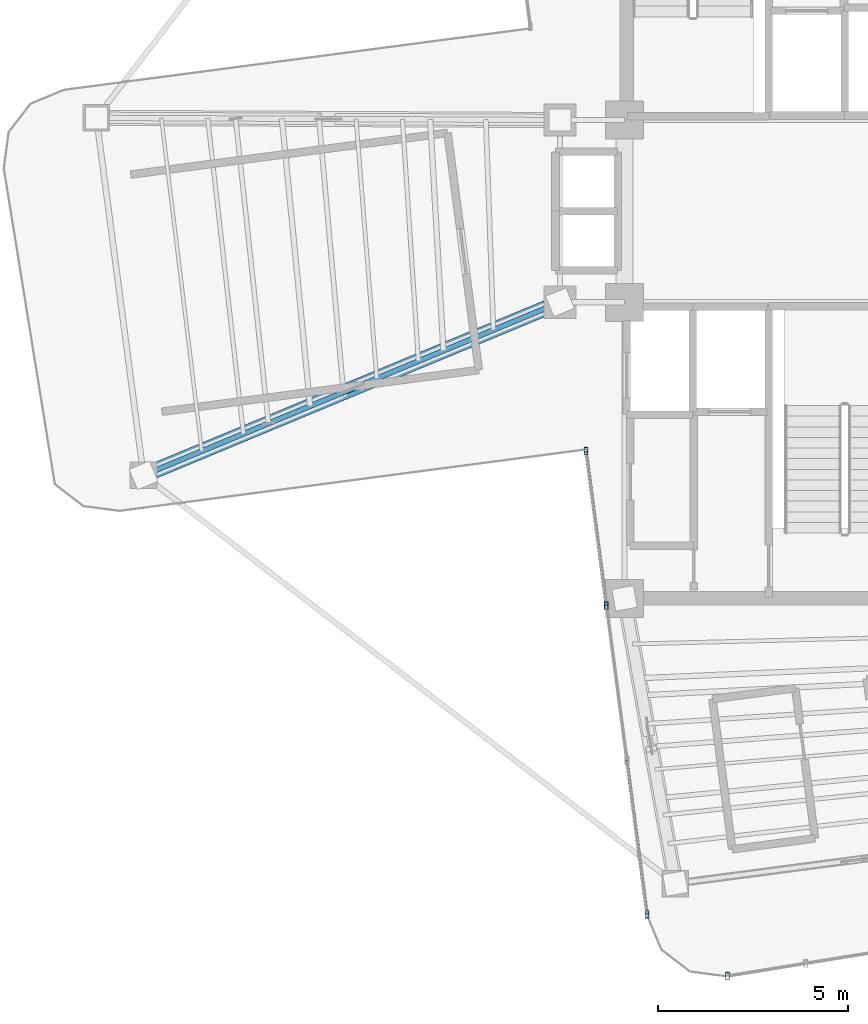
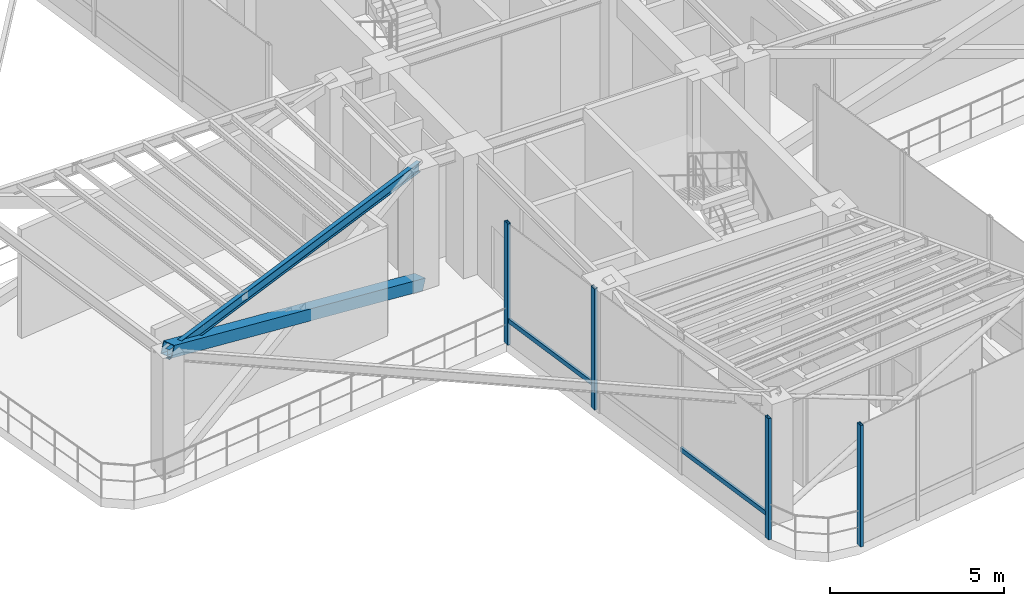
# One storey, part 2 of 17: 7 members, 1 beam, 2 elements without a shape of their own.
"""IFC4 building model written with IfcOpenShell, lengths in metres."""

from ifc_helpers import new_model, si_unit, direction, frame, origin, origin_2d, place, context, subcontext, project, spatial, hollow_rectangle, i_section, extrude, source, transform, mapped, material, material_profile, profile_set, type_object, element, aggregate, save


model = new_model("IFC4")

# Units and contexts
model_context = context("Model", 3, precision=1e-05, world=origin(), true_north=direction((0.0, 1.0)))
body_context = subcontext(model_context, "Body", "Model", "MODEL_VIEW")
ifc_project = project(units=[si_unit("LENGTHUNIT", "METRE"), si_unit("AREAUNIT", "SQUARE_METRE"), si_unit("VOLUMEUNIT", "CUBIC_METRE"), si_unit("PLANEANGLEUNIT", "RADIAN"), si_unit("MASSUNIT", "GRAM", prefix="KILO")], contexts=[model_context])

# Site, building, storey
site_placement = place(None, origin())
site = spatial("IfcSite", under=ifc_project, at=site_placement, CompositionType="ELEMENT")
building_placement = place(site_placement, origin())
building = spatial("IfcBuilding", under=site, at=building_placement, Name="Sahyath Konkavel Grand Hotel", CompositionType="ELEMENT")
storey_placement = place(building_placement, frame((0.0, 0.0, 264.60009765625)))
storey = spatial("IfcBuildingStorey", under=building, at=storey_placement, Name="L74", CompositionType="ELEMENT", Elevation=264.60009765625)

# Beam
ifc_material_1 = material(Name="Steel E350", Category="steel")
ifc_material_profile_1 = material_profile(ifc_material_1, i_section(OverallWidth=0.139892578125, OverallDepth=0.35009765625, WebThickness=0.008056640625, FlangeThickness=0.01416015625, FilletRadius=0.013916015625, at=origin_2d()), Name="ISMB 350")
ifc_profile_set_1 = profile_set([ifc_material_profile_1], Name="Steel E350")
beam_type = type_object("IfcBeamType", Name="BM-ISMB350", PredefinedType="BEAM", material=ifc_profile_set_1)
shared_shape_1 = source(origin(), body_context, "Body", "SweptSolid", [
    extrude(i_section(OverallWidth=0.139892578125, OverallDepth=0.35009765625, WebThickness=0.008056640625, FlangeThickness=0.01416015625, FilletRadius=0.013916015625, at=origin_2d()), origin(), (0.0, 0.0, 1.0), 11.882080078125),
])
beam_placement = place(storey_placement, frame((-5.5, -2.39990234375, 4.0849609375), z_axis=(-0.923435785797, -0.383752979804, 0.0), x_axis=(0.383752979804, -0.923435785797, 0.0)))
element("IfcBeam", 1, at=beam_placement, inside=storey, type_object=beam_type, Name="L74 Cruciform Radial Girder WB", PredefinedType="BEAM", context=body_context, shape_type="MappedRepresentation", body=[
    mapped(shared_shape_1, transform((0.0, 0.0, 0.0), scale=1.0)),
])

# Member
ifc_material_2 = material(Name="Steel E450", Category="steel")
ifc_material_profile_2 = material_profile(ifc_material_2, hollow_rectangle(XDim=0.39990234375, YDim=0.39990234375, WallThickness=0.02001953125, at=origin_2d()), Name="SHS 400x400x20")
ifc_profile_set_2 = profile_set([ifc_material_profile_2], Name="Steel E450")
member_type_1 = type_object("IfcMemberType", Name="BR-SHS400", PredefinedType="BRACE", material=ifc_profile_set_2)
shared_shape_2 = source(origin(), body_context, "Body", "SweptSolid", [
    extrude(hollow_rectangle(XDim=0.39990234375, YDim=0.39990234375, WallThickness=0.02001953125, at=origin_2d()), origin(), (0.0, 0.0, 1.0), 12.615966796875),
])
member_1_placement = place(storey_placement, frame((-5.5, -2.39990234375, 0.010009765625), z_axis=(-0.86972250497, -0.361431306885, 0.336080607521), x_axis=(0.383752979804, -0.923435785797, 0.0)))
element("IfcMember", 2, at=member_1_placement, inside=storey, type_object=member_type_1, Name="L74 Core Outrigger Truss WB Continuous Diagonal 1", PredefinedType="BRACE", context=body_context, shape_type="MappedRepresentation", body=[
    mapped(shared_shape_2, transform((0.0, 0.0, 0.0), scale=1.0)),
])

# Curtain wall, members
ifc_material_3 = material(Name="Anodised Bronze Aluminium & Low-E Glazing", Category="aluminium")
curtain_wall_type = type_object("IfcCurtainWallType", Name="CW-SKYLOBBY", PredefinedType="NOTDEFINED", material=ifc_material_3)
curtain_wall_1_placement = place(storey_placement, origin())
curtain_wall_1 = element("IfcCurtainWall", 3, at=curtain_wall_1_placement, inside=storey, type_object=curtain_wall_type, Name="L74 Unitised Curtain Wall RF24", PredefinedType="NOTDEFINED")
ifc_material_4 = material(Name="Anodised Bronze Aluminium", Category="aluminium")
ifc_material_profile_3 = material_profile(ifc_material_4, hollow_rectangle(XDim=0.10009765625, YDim=0.199951171875, WallThickness=0.008056640625, at=origin_2d()), Name="RHS 200x100x8")
ifc_profile_set_3 = profile_set([ifc_material_profile_3], Name="Anodised Bronze Aluminium")
member_type_2 = type_object("IfcMemberType", Name="CW-MUL-200", PredefinedType="MULLION", material=ifc_profile_set_3)
shared_shape_3 = source(origin(), body_context, "Body", "SweptSolid", [
    extrude(hollow_rectangle(XDim=0.10009765625, YDim=0.199951171875, WallThickness=0.008056640625, at=origin_2d()), origin(), (0.0, 0.0, 1.0), 4.260009765625),
])
member_2_placement = place(storey_placement, frame((-4.81591796875, -6.32275390625, 0.0), z_axis=(0.0, 0.0, 1.0), x_axis=(1.0, 0.0, 0.0)))
member_2 = element("IfcMember", 4, at=member_2_placement, type_object=member_type_2, Name="L74 Curtain Wall Mullion RF24-0", PredefinedType="MULLION", context=body_context, shape_type="MappedRepresentation", body=[
    mapped(shared_shape_3, transform((0.0, 0.0, 0.0), scale=1.0)),
])
member_3_placement = place(storey_placement, frame((-4.2802734375, -10.390869140625, 0.0), z_axis=(0.0, 0.0, 1.0), x_axis=(1.0, 0.0, 0.0)))
member_3 = element("IfcMember", 5, at=member_3_placement, type_object=member_type_2, Name="L74 Curtain Wall Mullion RF24-1", PredefinedType="MULLION", context=body_context, shape_type="MappedRepresentation", body=[
    mapped(shared_shape_3, transform((0.0, 0.0, 0.0), scale=1.0)),
])
member_4_placement = place(storey_placement, frame((-3.208984375, -18.52734375, 0.0), z_axis=(0.0, 0.0, 1.0), x_axis=(1.0, 0.0, 0.0)))
member_4 = element("IfcMember", 6, at=member_4_placement, type_object=member_type_2, Name="L74 Curtain Wall Mullion RF24-3", PredefinedType="MULLION", context=body_context, shape_type="MappedRepresentation", body=[
    mapped(shared_shape_3, transform((0.0, 0.0, 0.0), scale=1.0)),
])

# Curtain wall, member
curtain_wall_2_placement = place(storey_placement, origin())
curtain_wall_2 = element("IfcCurtainWall", 7, at=curtain_wall_2_placement, inside=storey, type_object=curtain_wall_type, Name="L74 Unitised Curtain Wall RF28", PredefinedType="NOTDEFINED")
member_5_placement = place(storey_placement, frame((-1.0888671875, -20.1533203125, 0.0), z_axis=(0.0, 0.0, 1.0), x_axis=(1.0, 0.0, 0.0)))
member_5 = element("IfcMember", 8, at=member_5_placement, type_object=member_type_2, Name="L74 Curtain Wall Mullion RF28-0", PredefinedType="MULLION", context=body_context, shape_type="MappedRepresentation", body=[
    mapped(shared_shape_3, transform((0.0, 0.0, 0.0), scale=1.0)),
])
aggregate(curtain_wall_2, [member_5])

# Member
ifc_material_profile_4 = material_profile(ifc_material_4, hollow_rectangle(XDim=0.080078125, YDim=0.159912109375, WallThickness=0.006103515625, at=origin_2d()), Name="RHS 160x80x6")
ifc_profile_set_4 = profile_set([ifc_material_profile_4], Name="Anodised Bronze Aluminium")
member_type_3 = type_object("IfcMemberType", Name="CW-TRN-160", PredefinedType="USERDEFINED", material=ifc_profile_set_4)
shared_shape_4 = source(origin(), body_context, "Body", "SweptSolid", [
    extrude(hollow_rectangle(XDim=0.080078125, YDim=0.159912109375, WallThickness=0.006103515625, at=origin_2d()), origin(), (0.0, 0.0, 1.0), 4.103271484375),
])
member_6_placement = place(storey_placement, frame((-4.81591796875, -6.32275390625, 0.849853515625), z_axis=(0.130542242661, -0.991442748161, 0.0), x_axis=(0.991442748161, 0.130542242661, 0.0)))
member_6 = element("IfcMember", 9, at=member_6_placement, type_object=member_type_3, Name="L74 Curtain Wall Transom RF24-0-spandrel", ObjectType="TRANSOM", PredefinedType="USERDEFINED", context=body_context, shape_type="MappedRepresentation", body=[
    mapped(shared_shape_4, transform((0.0, 0.0, 0.0), scale=1.0)),
])

shared_shape_5 = source(origin(), body_context, "Body", "SweptSolid", [
    extrude(hollow_rectangle(XDim=0.080078125, YDim=0.159912109375, WallThickness=0.006103515625, at=origin_2d()), origin(), (0.0, 0.0, 1.0), 4.103515625),
])
member_7_placement = place(storey_placement, frame((-3.74462890625, -14.458984375, 0.849853515625), z_axis=(0.130534542359, -0.991443762021, 0.0), x_axis=(0.991443762021, 0.130534542359, 0.0)))
member_7 = element("IfcMember", 10, at=member_7_placement, type_object=member_type_3, Name="L74 Curtain Wall Transom RF24-2-spandrel", ObjectType="TRANSOM", PredefinedType="USERDEFINED", context=body_context, shape_type="MappedRepresentation", body=[
    mapped(shared_shape_5, transform((0.0, 0.0, 0.0), scale=1.0)),
])

aggregate(curtain_wall_1, [member_2, member_3, member_4, member_6, member_7])

save(model, "model.ifc")
